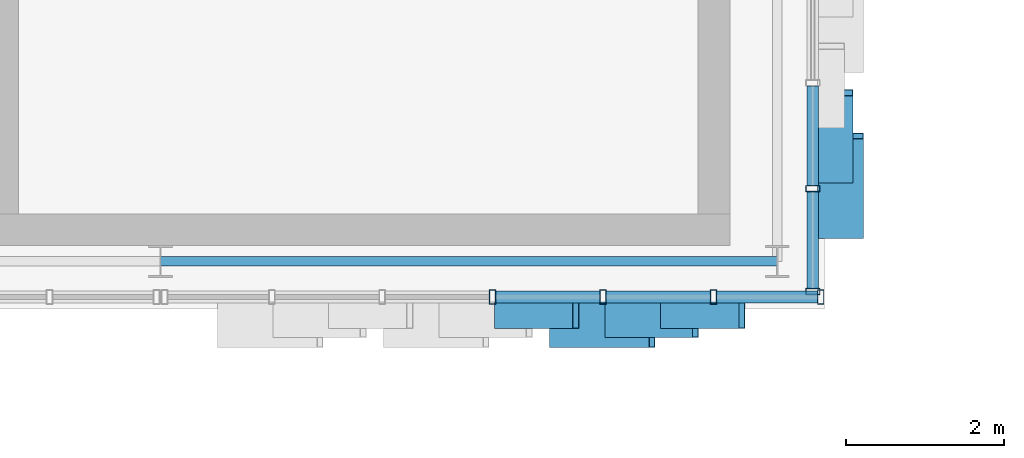
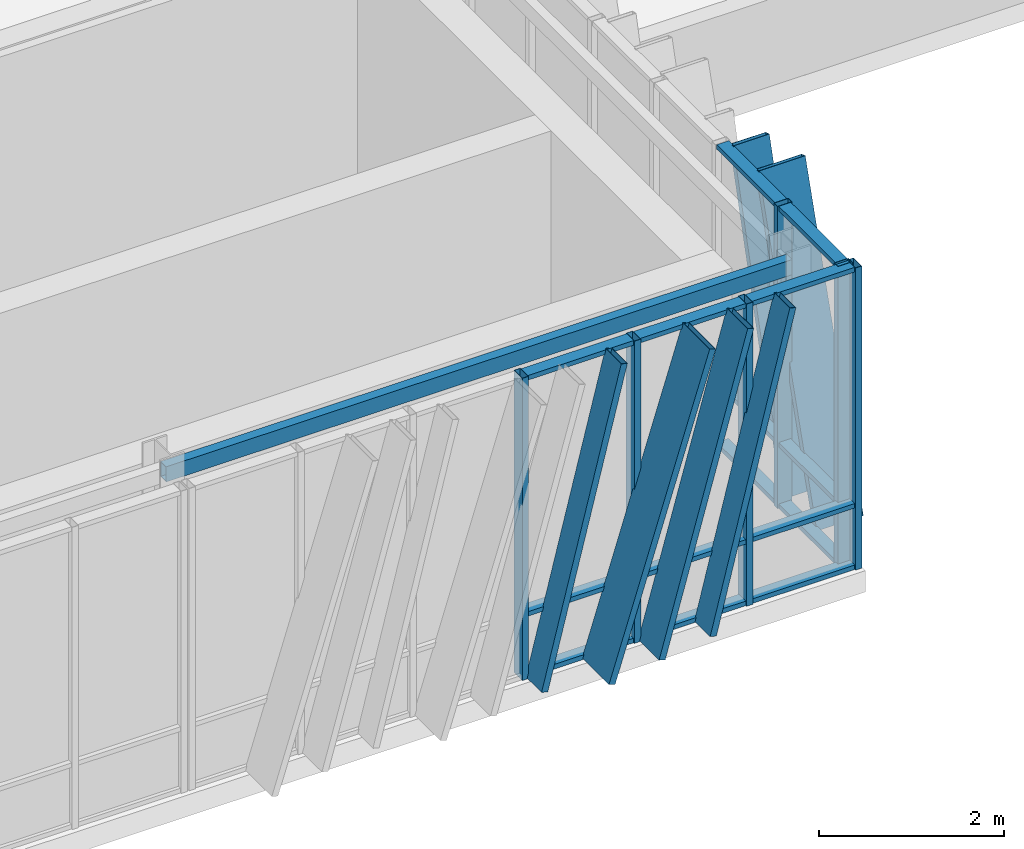
# One storey, part 26 of 123: 27 members, 1 beam, 2 elements without a shape of their own.
"""IFC4 building model written with IfcOpenShell, lengths in metres."""

from ifc_helpers import new_model, si_unit, direction, frame, origin, origin_2d, place, context, subcontext, project, spatial, hollow_rectangle, extrude, material, layer, layer_set, material_profile, profile_set, type_object, element, aggregate, save


model = new_model("IFC4")

# Units and contexts
model_context = context("Model", 3, precision=1e-05, world=origin(), true_north=direction((0.0, 1.0)))
body_context = subcontext(model_context, "Body", "Model", "MODEL_VIEW")
ifc_project = project(units=[si_unit("LENGTHUNIT", "METRE"), si_unit("AREAUNIT", "SQUARE_METRE"), si_unit("VOLUMEUNIT", "CUBIC_METRE"), si_unit("PLANEANGLEUNIT", "RADIAN"), si_unit("MASSUNIT", "GRAM", prefix="KILO")], contexts=[model_context])

# Site, building, storey
site_placement = place(None, origin())
site = spatial("IfcSite", under=ifc_project, at=site_placement, CompositionType="ELEMENT")
building_placement = place(site_placement, origin())
building = spatial("IfcBuilding", under=site, at=building_placement, Name="Zayran Congress Hotel", CompositionType="ELEMENT")
storey_placement = place(building_placement, frame((0.0, 0.0, 15.0)))
storey = spatial("IfcBuildingStorey", under=building, at=storey_placement, Name="L03", CompositionType="ELEMENT", Elevation=15.0)

# Beam
ifc_material_1 = material(Name="Steel S355", Category="steel")
ifc_material_profile_1 = material_profile(ifc_material_1, hollow_rectangle(XDim=0.1201171875, YDim=0.199951171875, WallThickness=0.008056640625, at=origin_2d()), Name="RHS 200x120x8")
ifc_profile_set_1 = profile_set([ifc_material_profile_1], Name="Steel S355")
beam_type = type_object("IfcBeamType", Name="TP-SP-02", PredefinedType="SPANDREL", material=ifc_profile_set_1)
beam_placement = place(storey_placement, frame((84.0, 68.199951171875, 3.8798828125), z_axis=(1.0, 0.0, 0.0), x_axis=(0.0, 1.0, 0.0)))
element("IfcBeam", 1, at=beam_placement, inside=storey, type_object=beam_type, Name="BM-V1-L03-0800", PredefinedType="SPANDREL", context=body_context, shape_type="SweptSolid", body=[
    extrude(hollow_rectangle(XDim=0.1201171875, YDim=0.199951171875, WallThickness=0.008056640625, at=origin_2d()), origin(), (0.0, 0.0, 1.0), 7.800048828125),
])

# Curtain wall, members
ifc_material_2 = material(Name="Anodised aluminium and low-E insulated glass", Category="aluminium")
ifc_layer_1 = layer(ifc_material_2, 0.179931640625)
ifc_layer_set_1 = layer_set([ifc_layer_1], Name="Anodised aluminium and low-E insulated glass")
curtain_wall_type_1 = type_object("IfcCurtainWallType", Name="CW-V1S-L03-CW-11-8380-3980", PredefinedType="USERDEFINED", material=ifc_layer_set_1)
curtain_wall_1_placement = place(storey_placement, origin())
curtain_wall_1 = element("IfcCurtainWall", 2, at=curtain_wall_1_placement, inside=storey, type_object=curtain_wall_type_1, Name="CW-V1S-L03-9", ObjectType="CURTAIN WALL", PredefinedType="USERDEFINED")
ifc_material_3 = material(Name="Anodised aluminium framing", Category="aluminium")
ifc_material_profile_2 = material_profile(ifc_material_3, hollow_rectangle(XDim=0.080078125, YDim=0.179931640625, WallThickness=0.0048828125, at=origin_2d()), Name="RHS 180x80x5")
ifc_profile_set_2 = profile_set([ifc_material_profile_2], Name="Anodised aluminium framing")
member_type_1 = type_object("IfcMemberType", Name="TP-CWM-01", PredefinedType="MULLION", material=ifc_profile_set_2)
member_1_placement = place(storey_placement, frame((88.199951171875, 67.75, 0.0), z_axis=(0.0, 0.0, 1.0), x_axis=(1.0, 0.0, 0.0)))
member_1 = element("IfcMember", 3, at=member_1_placement, type_object=member_type_1, Name="CW-V1S-L03-9-M03", PredefinedType="MULLION", context=body_context, shape_type="SweptSolid", body=[
    extrude(hollow_rectangle(XDim=0.080078125, YDim=0.179931640625, WallThickness=0.0048828125, at=origin_2d()), origin(), (0.0, 0.0, 1.0), 3.97998046875),
])
member_2_placement = place(storey_placement, frame((89.5966796875, 67.75, 0.0), z_axis=(0.0, 0.0, 1.0), x_axis=(1.0, 0.0, 0.0)))
member_2 = element("IfcMember", 4, at=member_2_placement, type_object=member_type_1, Name="CW-V1S-L03-9-M04", PredefinedType="MULLION", context=body_context, shape_type="SweptSolid", body=[
    extrude(hollow_rectangle(XDim=0.080078125, YDim=0.179931640625, WallThickness=0.0048828125, at=origin_2d()), origin(), (0.0, 0.0, 1.0), 3.97998046875),
])
member_3_placement = place(storey_placement, frame((90.993408203125, 67.75, 0.0), z_axis=(0.0, 0.0, 1.0), x_axis=(1.0, 0.0, 0.0)))
member_3 = element("IfcMember", 5, at=member_3_placement, type_object=member_type_1, Name="CW-V1S-L03-9-M05", PredefinedType="MULLION", context=body_context, shape_type="SweptSolid", body=[
    extrude(hollow_rectangle(XDim=0.080078125, YDim=0.179931640625, WallThickness=0.0048828125, at=origin_2d()), origin(), (0.0, 0.0, 1.0), 3.97998046875),
])
member_4_placement = place(storey_placement, frame((92.35009765625, 67.75, 0.0), z_axis=(0.0, 0.0, 1.0), x_axis=(1.0, 0.0, 0.0)))
member_4 = element("IfcMember", 6, at=member_4_placement, type_object=member_type_1, Name="CW-V1S-L03-9-M06", PredefinedType="MULLION", context=body_context, shape_type="SweptSolid", body=[
    extrude(hollow_rectangle(XDim=0.080078125, YDim=0.179931640625, WallThickness=0.0048828125, at=origin_2d()), origin(), (0.0, 0.0, 1.0), 3.97998046875),
])

ifc_layer_2 = layer(ifc_material_2, 0.179931640625)
ifc_layer_set_2 = layer_set([ifc_layer_2], Name="Anodised aluminium and low-E insulated glass")
curtain_wall_type_2 = type_object("IfcCurtainWallType", Name="CW-V1E-L03-CW-41-8040-3980", PredefinedType="USERDEFINED", material=ifc_layer_set_2)
curtain_wall_2_placement = place(storey_placement, origin())
curtain_wall_2 = element("IfcCurtainWall", 7, at=curtain_wall_2_placement, inside=storey, type_object=curtain_wall_type_2, Name="CW-V1E-L03-0", ObjectType="CURTAIN WALL", PredefinedType="USERDEFINED")
member_5_placement = place(storey_placement, frame((92.25, 67.820068359375, 0.0), z_axis=(0.0, 0.0, 1.0), x_axis=(0.0, 1.0, 0.0)))
member_5 = element("IfcMember", 8, at=member_5_placement, type_object=member_type_1, Name="CW-V1E-L03-0-M00", PredefinedType="MULLION", context=body_context, shape_type="SweptSolid", body=[
    extrude(hollow_rectangle(XDim=0.080078125, YDim=0.179931640625, WallThickness=0.0048828125, at=origin_2d()), origin(), (0.0, 0.0, 1.0), 3.97998046875),
])
member_6_placement = place(storey_placement, frame((92.25, 69.1201171875, 0.0), z_axis=(0.0, 0.0, 1.0), x_axis=(0.0, 1.0, 0.0)))
member_6 = element("IfcMember", 9, at=member_6_placement, type_object=member_type_1, Name="CW-V1E-L03-0-M01", PredefinedType="MULLION", context=body_context, shape_type="SweptSolid", body=[
    extrude(hollow_rectangle(XDim=0.080078125, YDim=0.179931640625, WallThickness=0.0048828125, at=origin_2d()), origin(), (0.0, 0.0, 1.0), 3.97998046875),
])

# Member
ifc_material_profile_3 = material_profile(ifc_material_3, hollow_rectangle(XDim=0.06005859375, YDim=0.14990234375, WallThickness=0.00390625, at=origin_2d()), Name="RHS 150x60x4")
ifc_profile_set_3 = profile_set([ifc_material_profile_3], Name="Anodised aluminium framing")
member_type_2 = type_object("IfcMemberType", Name="TP-CWT-01", PredefinedType="USERDEFINED", material=ifc_profile_set_3)
member_7_placement = place(storey_placement, frame((88.239990234375, 67.75, 0.030029296875), z_axis=(1.0, 0.0, 0.0), x_axis=(0.0, 0.0, 1.0)))
member_7 = element("IfcMember", 10, at=member_7_placement, type_object=member_type_2, Name="CW-V1S-L03-9-T03-0", ObjectType="TRANSOM", PredefinedType="USERDEFINED", context=body_context, shape_type="SweptSolid", body=[
    extrude(hollow_rectangle(XDim=0.06005859375, YDim=0.14990234375, WallThickness=0.00390625, at=origin_2d()), origin(), (0.0, 0.0, 1.0), 1.316650390625),
])

member_8_placement = place(storey_placement, frame((88.239990234375, 67.75, 0.840087890625), z_axis=(1.0, 0.0, 0.0), x_axis=(0.0, 0.0, 1.0)))
member_8 = element("IfcMember", 11, at=member_8_placement, type_object=member_type_2, Name="CW-V1S-L03-9-T03-1", ObjectType="TRANSOM", PredefinedType="USERDEFINED", context=body_context, shape_type="SweptSolid", body=[
    extrude(hollow_rectangle(XDim=0.06005859375, YDim=0.14990234375, WallThickness=0.00390625, at=origin_2d()), origin(), (0.0, 0.0, 1.0), 1.316650390625),
])

member_9_placement = place(storey_placement, frame((88.239990234375, 67.75, 3.949951171875), z_axis=(1.0, 0.0, 0.0), x_axis=(0.0, 0.0, 1.0)))
member_9 = element("IfcMember", 12, at=member_9_placement, type_object=member_type_2, Name="CW-V1S-L03-9-T03-2", ObjectType="TRANSOM", PredefinedType="USERDEFINED", context=body_context, shape_type="SweptSolid", body=[
    extrude(hollow_rectangle(XDim=0.06005859375, YDim=0.14990234375, WallThickness=0.00390625, at=origin_2d()), origin(), (0.0, 0.0, 1.0), 1.316650390625),
])

member_10_placement = place(storey_placement, frame((89.63671875, 67.75, 0.030029296875), z_axis=(1.0, 0.0, 0.0), x_axis=(0.0, 0.0, 1.0)))
member_10 = element("IfcMember", 13, at=member_10_placement, type_object=member_type_2, Name="CW-V1S-L03-9-T04-0", ObjectType="TRANSOM", PredefinedType="USERDEFINED", context=body_context, shape_type="SweptSolid", body=[
    extrude(hollow_rectangle(XDim=0.06005859375, YDim=0.14990234375, WallThickness=0.00390625, at=origin_2d()), origin(), (0.0, 0.0, 1.0), 1.316650390625),
])

member_11_placement = place(storey_placement, frame((89.63671875, 67.75, 0.840087890625), z_axis=(1.0, 0.0, 0.0), x_axis=(0.0, 0.0, 1.0)))
member_11 = element("IfcMember", 14, at=member_11_placement, type_object=member_type_2, Name="CW-V1S-L03-9-T04-1", ObjectType="TRANSOM", PredefinedType="USERDEFINED", context=body_context, shape_type="SweptSolid", body=[
    extrude(hollow_rectangle(XDim=0.06005859375, YDim=0.14990234375, WallThickness=0.00390625, at=origin_2d()), origin(), (0.0, 0.0, 1.0), 1.316650390625),
])

member_12_placement = place(storey_placement, frame((89.63671875, 67.75, 3.949951171875), z_axis=(1.0, 0.0, 0.0), x_axis=(0.0, 0.0, 1.0)))
member_12 = element("IfcMember", 15, at=member_12_placement, type_object=member_type_2, Name="CW-V1S-L03-9-T04-2", ObjectType="TRANSOM", PredefinedType="USERDEFINED", context=body_context, shape_type="SweptSolid", body=[
    extrude(hollow_rectangle(XDim=0.06005859375, YDim=0.14990234375, WallThickness=0.00390625, at=origin_2d()), origin(), (0.0, 0.0, 1.0), 1.316650390625),
])

member_13_placement = place(storey_placement, frame((91.033203125, 67.75, 0.030029296875), z_axis=(1.0, 0.0, 0.0), x_axis=(0.0, 0.0, 1.0)))
member_13 = element("IfcMember", 16, at=member_13_placement, type_object=member_type_2, Name="CW-V1S-L03-9-T05-0", ObjectType="TRANSOM", PredefinedType="USERDEFINED", context=body_context, shape_type="SweptSolid", body=[
    extrude(hollow_rectangle(XDim=0.06005859375, YDim=0.14990234375, WallThickness=0.00390625, at=origin_2d()), origin(), (0.0, 0.0, 1.0), 1.27685546875),
])

member_14_placement = place(storey_placement, frame((91.033203125, 67.75, 0.840087890625), z_axis=(1.0, 0.0, 0.0), x_axis=(0.0, 0.0, 1.0)))
member_14 = element("IfcMember", 17, at=member_14_placement, type_object=member_type_2, Name="CW-V1S-L03-9-T05-1", ObjectType="TRANSOM", PredefinedType="USERDEFINED", context=body_context, shape_type="SweptSolid", body=[
    extrude(hollow_rectangle(XDim=0.06005859375, YDim=0.14990234375, WallThickness=0.00390625, at=origin_2d()), origin(), (0.0, 0.0, 1.0), 1.27685546875),
])

member_15_placement = place(storey_placement, frame((91.033203125, 67.75, 3.949951171875), z_axis=(1.0, 0.0, 0.0), x_axis=(0.0, 0.0, 1.0)))
member_15 = element("IfcMember", 18, at=member_15_placement, type_object=member_type_2, Name="CW-V1S-L03-9-T05-2", ObjectType="TRANSOM", PredefinedType="USERDEFINED", context=body_context, shape_type="SweptSolid", body=[
    extrude(hollow_rectangle(XDim=0.06005859375, YDim=0.14990234375, WallThickness=0.00390625, at=origin_2d()), origin(), (0.0, 0.0, 1.0), 1.27685546875),
])

member_16_placement = place(storey_placement, frame((92.25, 67.860107421875, 0.030029296875), z_axis=(0.0, 1.0, 0.0), x_axis=(0.0, 0.0, 1.0)))
member_16 = element("IfcMember", 19, at=member_16_placement, type_object=member_type_2, Name="CW-V1E-L03-0-T00-0", ObjectType="TRANSOM", PredefinedType="USERDEFINED", context=body_context, shape_type="SweptSolid", body=[
    extrude(hollow_rectangle(XDim=0.06005859375, YDim=0.14990234375, WallThickness=0.00390625, at=origin_2d()), origin(), (0.0, 0.0, 1.0), 1.219970703125),
])

member_17_placement = place(storey_placement, frame((92.25, 67.860107421875, 0.840087890625), z_axis=(0.0, 1.0, 0.0), x_axis=(0.0, 0.0, 1.0)))
member_17 = element("IfcMember", 20, at=member_17_placement, type_object=member_type_2, Name="CW-V1E-L03-0-T00-1", ObjectType="TRANSOM", PredefinedType="USERDEFINED", context=body_context, shape_type="SweptSolid", body=[
    extrude(hollow_rectangle(XDim=0.06005859375, YDim=0.14990234375, WallThickness=0.00390625, at=origin_2d()), origin(), (0.0, 0.0, 1.0), 1.219970703125),
])

member_18_placement = place(storey_placement, frame((92.25, 67.860107421875, 3.949951171875), z_axis=(0.0, 1.0, 0.0), x_axis=(0.0, 0.0, 1.0)))
member_18 = element("IfcMember", 21, at=member_18_placement, type_object=member_type_2, Name="CW-V1E-L03-0-T00-2", ObjectType="TRANSOM", PredefinedType="USERDEFINED", context=body_context, shape_type="SweptSolid", body=[
    extrude(hollow_rectangle(XDim=0.06005859375, YDim=0.14990234375, WallThickness=0.00390625, at=origin_2d()), origin(), (0.0, 0.0, 1.0), 1.219970703125),
])

member_19_placement = place(storey_placement, frame((92.25, 69.159912109375, 0.030029296875), z_axis=(0.0, 1.0, 0.0), x_axis=(0.0, 0.0, 1.0)))
member_19 = element("IfcMember", 22, at=member_19_placement, type_object=member_type_2, Name="CW-V1E-L03-0-T01-0", ObjectType="TRANSOM", PredefinedType="USERDEFINED", context=body_context, shape_type="SweptSolid", body=[
    extrude(hollow_rectangle(XDim=0.06005859375, YDim=0.14990234375, WallThickness=0.00390625, at=origin_2d()), origin(), (0.0, 0.0, 1.0), 1.260009765625),
])

member_20_placement = place(storey_placement, frame((92.25, 69.159912109375, 0.840087890625), z_axis=(0.0, 1.0, 0.0), x_axis=(0.0, 0.0, 1.0)))
member_20 = element("IfcMember", 23, at=member_20_placement, type_object=member_type_2, Name="CW-V1E-L03-0-T01-1", ObjectType="TRANSOM", PredefinedType="USERDEFINED", context=body_context, shape_type="SweptSolid", body=[
    extrude(hollow_rectangle(XDim=0.06005859375, YDim=0.14990234375, WallThickness=0.00390625, at=origin_2d()), origin(), (0.0, 0.0, 1.0), 1.260009765625),
])

member_21_placement = place(storey_placement, frame((92.25, 69.159912109375, 3.949951171875), z_axis=(0.0, 1.0, 0.0), x_axis=(0.0, 0.0, 1.0)))
member_21 = element("IfcMember", 24, at=member_21_placement, type_object=member_type_2, Name="CW-V1E-L03-0-T01-2", ObjectType="TRANSOM", PredefinedType="USERDEFINED", context=body_context, shape_type="SweptSolid", body=[
    extrude(hollow_rectangle(XDim=0.06005859375, YDim=0.14990234375, WallThickness=0.00390625, at=origin_2d()), origin(), (0.0, 0.0, 1.0), 1.260009765625),
])

ifc_material_4 = material(Name="Warm bronze anodised aluminium", Category="aluminium")
ifc_material_profile_4 = material_profile(ifc_material_4, hollow_rectangle(XDim=0.080078125, YDim=0.580078125, WallThickness=0.006103515625, at=origin_2d()), Name="RHS 580x80x6")
ifc_profile_set_4 = profile_set([ifc_material_profile_4], Name="Warm bronze anodised aluminium")
member_type_3 = type_object("IfcMemberType", Name="TP-RFN-01", PredefinedType="MULLION", material=ifc_profile_set_4)
member_22_placement = place(storey_placement, frame((88.9599609375, 67.39990234375, 0.0), z_axis=(0.300705753938, 0.0, 0.953716965115), x_axis=(-0.953716965115, 0.0, 0.300705753938)))
member_22 = element("IfcMember", 25, at=member_22_placement, type_object=member_type_3, Name="Slanting Reed Mullion CW-11-07", PredefinedType="MULLION", context=body_context, shape_type="SweptSolid", body=[
    extrude(hollow_rectangle(XDim=0.080078125, YDim=0.580078125, WallThickness=0.006103515625, at=origin_2d()), origin(), (0.0, 0.0, 1.0), 4.173095703125),
])

member_23_placement = place(storey_placement, frame((92.60009765625, 68.530029296875, 0.0), z_axis=(0.0, 0.300705753938, 0.953716965115), x_axis=(0.0, -0.953716965115, 0.300705753938)))
member_23 = element("IfcMember", 26, at=member_23_placement, type_object=member_type_3, Name="Slanting Reed Mullion CW-41-01", PredefinedType="MULLION", context=body_context, shape_type="SweptSolid", body=[
    extrude(hollow_rectangle(XDim=0.080078125, YDim=0.580078125, WallThickness=0.006103515625, at=origin_2d()), origin(), (0.0, 0.0, 1.0), 4.173095703125),
])

ifc_material_profile_5 = material_profile(ifc_material_4, hollow_rectangle(XDim=0.080078125, YDim=0.449951171875, WallThickness=0.006103515625, at=origin_2d()), Name="RHS 450x80x6")
ifc_profile_set_5 = profile_set([ifc_material_profile_5], Name="Warm bronze anodised aluminium")
member_type_4 = type_object("IfcMemberType", Name="TP-RFN-02", PredefinedType="MULLION", material=ifc_profile_set_5)
member_24_placement = place(storey_placement, frame((89.659912109375, 67.465087890625, 0.0), z_axis=(0.267296298756, 0.0, 0.963614387954), x_axis=(-0.963614387954, 0.0, 0.267296298756)))
member_24 = element("IfcMember", 27, at=member_24_placement, type_object=member_type_4, Name="Slanting Reed Mullion CW-11-08", PredefinedType="MULLION", context=body_context, shape_type="SweptSolid", body=[
    extrude(hollow_rectangle(XDim=0.080078125, YDim=0.449951171875, WallThickness=0.006103515625, at=origin_2d()), origin(), (0.0, 0.0, 1.0), 4.13037109375),
])

member_25_placement = place(storey_placement, frame((92.534912109375, 69.22998046875, 0.0), z_axis=(0.0, 0.267241410526, 0.963629611677), x_axis=(0.0, -0.963629611677, 0.267241410526)))
member_25 = element("IfcMember", 28, at=member_25_placement, type_object=member_type_4, Name="Slanting Reed Mullion CW-41-02", PredefinedType="MULLION", context=body_context, shape_type="SweptSolid", body=[
    extrude(hollow_rectangle(XDim=0.080078125, YDim=0.449951171875, WallThickness=0.006103515625, at=origin_2d()), origin(), (0.0, 0.0, 1.0), 4.130126953125),
])

aggregate(curtain_wall_2, [member_5, member_6, member_16, member_17, member_18, member_19, member_20, member_21, member_23, member_25])

ifc_material_profile_6 = material_profile(ifc_material_4, hollow_rectangle(XDim=0.080078125, YDim=0.340087890625, WallThickness=0.006103515625, at=origin_2d()), Name="RHS 340x80x6")
ifc_profile_set_6 = profile_set([ifc_material_profile_6], Name="Warm bronze anodised aluminium")
member_type_5 = type_object("IfcMemberType", Name="TP-RFN-03", PredefinedType="MULLION", material=ifc_profile_set_6)
member_26_placement = place(storey_placement, frame((88.260009765625, 67.52001953125, 0.0), z_axis=(0.24189134958, 0.0, 0.970303341743), x_axis=(-0.970303341743, 0.0, 0.24189134958)))
member_26 = element("IfcMember", 29, at=member_26_placement, type_object=member_type_5, Name="Slanting Reed Mullion CW-11-06", PredefinedType="MULLION", context=body_context, shape_type="SweptSolid", body=[
    extrude(hollow_rectangle(XDim=0.080078125, YDim=0.340087890625, WallThickness=0.006103515625, at=origin_2d()), origin(), (0.0, 0.0, 1.0), 4.101806640625),
])

member_27_placement = place(storey_placement, frame((90.360107421875, 67.52001953125, 0.0), z_axis=(0.24189134958, 0.0, 0.970303341743), x_axis=(-0.970303341743, 0.0, 0.24189134958)))
member_27 = element("IfcMember", 30, at=member_27_placement, type_object=member_type_5, Name="Slanting Reed Mullion CW-11-09", PredefinedType="MULLION", context=body_context, shape_type="SweptSolid", body=[
    extrude(hollow_rectangle(XDim=0.080078125, YDim=0.340087890625, WallThickness=0.006103515625, at=origin_2d()), origin(), (0.0, 0.0, 1.0), 4.101806640625),
])

aggregate(curtain_wall_1, [member_1, member_2, member_3, member_4, member_7, member_8, member_9, member_10, member_11, member_12, member_13, member_14, member_15, member_26, member_22, member_24, member_27])

save(model, "model.ifc")
